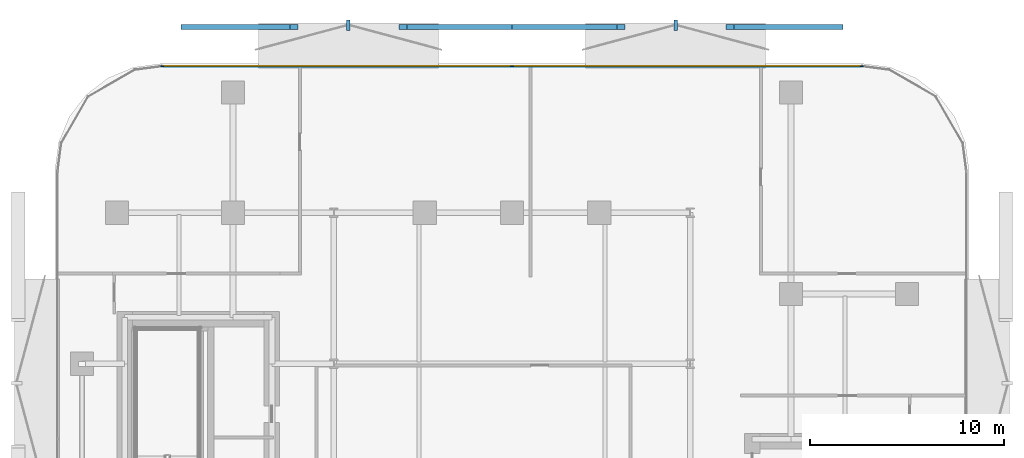
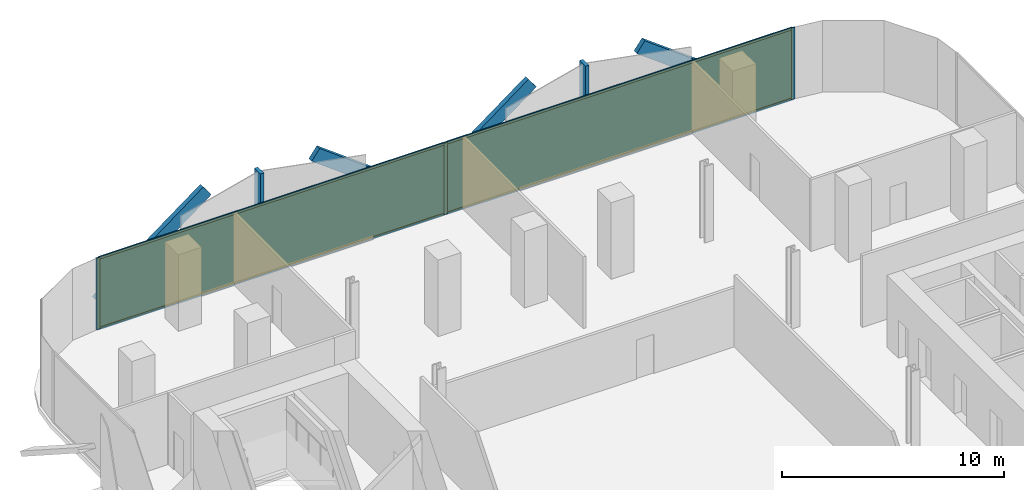
# One storey, part 10 of 15: 13 members, 2 plates, 1 curtain wall.
"""IFC4 building model written with IfcOpenShell, lengths in metres."""

from ifc_helpers import new_model, si_unit, direction, frame, frame_2d, origin, origin_2d, place, context, subcontext, project, spatial, rectangle, extrude, material, layer, layer_set, material_profile, profile_set, type_object, element, aggregate, save


model = new_model("IFC4")

# Units and contexts
model_context = context("Model", 3, precision=1e-05, world=origin(), true_north=direction((0.0, 1.0)))
body_context = subcontext(model_context, "Body", "Model", "MODEL_VIEW")
ifc_project = project(units=[si_unit("LENGTHUNIT", "METRE"), si_unit("AREAUNIT", "SQUARE_METRE"), si_unit("VOLUMEUNIT", "CUBIC_METRE"), si_unit("PLANEANGLEUNIT", "RADIAN"), si_unit("MASSUNIT", "GRAM", prefix="KILO")], contexts=[model_context])

# Member
ifc_material_1 = material(Name="Anodised Bronze Aluminium 6063-T6", Category="aluminium")
ifc_material_profile_1 = material_profile(ifc_material_1, rectangle(XDim=0.260009765625, YDim=0.699951171875, at=origin_2d()))
ifc_profile_set_1 = profile_set([ifc_material_profile_1], Name="Anodised Bronze Aluminium 6063-T6")
member_type_1 = type_object("IfcMemberType", Name="Bronze Diamond Solar-Screen Lattice Rib BDL-700", PredefinedType="MULLION", material=ifc_profile_set_1)
site_placement = place(None, origin())
building_placement = place(site_placement, origin())
storey_placement = place(building_placement, frame((0.0, 0.0, 143.60009765625)))
member_1_placement = place(storey_placement, frame((-16.890869140625, 28.199951171875, -0.130126953125), z_axis=(0.801557173533, 0.0, 0.597918136167), x_axis=(0.0, 1.0, 0.0)))
member_1 = element("IfcMember", 1, at=member_1_placement, type_object=member_type_1, Name="L33 Bronze Diamond Solar Screen Lattice Rib 213A", PredefinedType="MULLION", context=body_context, shape_type="SweptSolid", body=[
    extrude(rectangle(XDim=0.260009765625, YDim=0.699951171875, at=origin_2d()), origin(), (0.0, 0.0, 1.0), 7.024169921875),
])

member_2_placement = place(storey_placement, frame((0.0, 28.199951171875, -0.130126953125), z_axis=(-0.801557173533, 0.0, 0.597918136167), x_axis=(0.0, -1.0, 0.0)))
member_2 = element("IfcMember", 2, at=member_2_placement, type_object=member_type_1, Name="L33 Bronze Diamond Solar Screen Lattice Rib 213B", PredefinedType="MULLION", context=body_context, shape_type="SweptSolid", body=[
    extrude(rectangle(XDim=0.260009765625, YDim=0.699951171875, at=origin_2d()), origin(), (0.0, 0.0, 1.0), 7.024169921875),
])

member_3_placement = place(storey_placement, frame((0.0, 28.199951171875, -0.130126953125), z_axis=(0.801557173533, 0.0, 0.597918136167), x_axis=(0.0, 1.0, 0.0)))
member_3 = element("IfcMember", 3, at=member_3_placement, type_object=member_type_1, Name="L33 Bronze Diamond Solar Screen Lattice Rib 214A", PredefinedType="MULLION", context=body_context, shape_type="SweptSolid", body=[
    extrude(rectangle(XDim=0.260009765625, YDim=0.699951171875, at=origin_2d()), origin(), (0.0, 0.0, 1.0), 7.024169921875),
])

member_4_placement = place(storey_placement, frame((16.890869140625, 28.199951171875, -0.130126953125), z_axis=(-0.801557173533, 0.0, 0.597918136167), x_axis=(0.0, -1.0, 0.0)))
member_4 = element("IfcMember", 4, at=member_4_placement, type_object=member_type_1, Name="L33 Bronze Diamond Solar Screen Lattice Rib 214B", PredefinedType="MULLION", context=body_context, shape_type="SweptSolid", body=[
    extrude(rectangle(XDim=0.260009765625, YDim=0.699951171875, at=origin_2d()), origin(), (0.0, 0.0, 1.0), 7.024169921875),
])

ifc_material_2 = material(Name="Anodised Bronze Aluminium 6063-T6", Category="aluminium")
ifc_material_profile_2 = material_profile(ifc_material_2, rectangle(XDim=0.179931640625, YDim=0.5400390625, at=origin_2d()))
ifc_profile_set_2 = profile_set([ifc_material_profile_2], Name="Anodised Bronze Aluminium 6063-T6")
member_type_2 = type_object("IfcMemberType", Name="Bronze Solar-Screen Vertical Fold Fin BSF-540", PredefinedType="MULLION", material=ifc_profile_set_2)
member_5_placement = place(storey_placement, frame((-8.4453125, 28.280029296875, -0.130126953125), z_axis=(0.0, 0.0, 1.0), x_axis=(1.0, 0.0, 0.0)))
member_5 = element("IfcMember", 5, at=member_5_placement, type_object=member_type_2, Name="L33 Bronze Solar Screen Vertical Fin 213", PredefinedType="MULLION", context=body_context, shape_type="SweptSolid", body=[
    extrude(rectangle(XDim=0.179931640625, YDim=0.5400390625, at=origin_2d()), origin(), (0.0, 0.0, 1.0), 4.199951171875),
])

member_6_placement = place(storey_placement, frame((8.4453125, 28.280029296875, -0.130126953125), z_axis=(0.0, 0.0, 1.0), x_axis=(1.0, 0.0, 0.0)))
member_6 = element("IfcMember", 6, at=member_6_placement, type_object=member_type_2, Name="L33 Bronze Solar Screen Vertical Fin 214", PredefinedType="MULLION", context=body_context, shape_type="SweptSolid", body=[
    extrude(rectangle(XDim=0.179931640625, YDim=0.5400390625, at=origin_2d()), origin(), (0.0, 0.0, 1.0), 4.199951171875),
])

ifc_material_3 = material(Name="Anodised Bronze Aluminium 6063-T6", Category="aluminium")
ifc_material_profile_3 = material_profile(ifc_material_3, rectangle(XDim=0.06494140625, YDim=0.175048828125, at=origin_2d()))
ifc_profile_set_3 = profile_set([ifc_material_profile_3], Name="Anodised Bronze Aluminium 6063-T6")
member_type_3 = type_object("IfcMemberType", Name="CW-Z2 Mullion 65x175", PredefinedType="MULLION", material=ifc_profile_set_3)
member_7_placement = place(storey_placement, frame((-18.058349609375, 26.159912109375, 0.0), z_axis=(0.0, 0.0, 1.0), x_axis=(0.0, 1.0, 0.0)))
member_7 = element("IfcMember", 7, at=member_7_placement, type_object=member_type_3, Name="CW-Z2 mullion 1", PredefinedType="MULLION", context=body_context, shape_type="SweptSolid", body=[
    extrude(rectangle(XDim=0.06494140625, YDim=0.175048828125, at=origin_2d()), origin(), (0.0, 0.0, 1.0), 3.93994140625),
])

member_8_placement = place(storey_placement, frame((0.0, 26.159912109375, 0.0), z_axis=(0.0, 0.0, 1.0), x_axis=(0.0, 1.0, 0.0)))
member_8 = element("IfcMember", 8, at=member_8_placement, type_object=member_type_3, Name="CW-Z2 mullion 2", PredefinedType="MULLION", context=body_context, shape_type="SweptSolid", body=[
    extrude(rectangle(XDim=0.06494140625, YDim=0.175048828125, at=origin_2d()), origin(), (0.0, 0.0, 1.0), 3.93994140625),
])

member_9_placement = place(storey_placement, frame((18.058349609375, 26.159912109375, 0.0), z_axis=(0.0, 0.0, 1.0), x_axis=(0.0, 1.0, 0.0)))
member_9 = element("IfcMember", 9, at=member_9_placement, type_object=member_type_3, Name="CW-Z2 mullion 3", PredefinedType="MULLION", context=body_context, shape_type="SweptSolid", body=[
    extrude(rectangle(XDim=0.06494140625, YDim=0.175048828125, at=origin_2d()), origin(), (0.0, 0.0, 1.0), 3.93994140625),
])

ifc_material_4 = material(Name="Anodised Bronze Aluminium 6063-T6", Category="aluminium")
ifc_material_profile_4 = material_profile(ifc_material_4, rectangle(XDim=0.06494140625, YDim=0.135009765625, at=origin_2d()))
ifc_profile_set_4 = profile_set([ifc_material_profile_4], Name="Anodised Bronze Aluminium 6063-T6")
member_type_4 = type_object("IfcMemberType", Name="CW-Z2 Transom 65x135", PredefinedType="USERDEFINED", material=ifc_profile_set_4)
member_10_placement = place(storey_placement, frame((-18.02587890625, 26.159912109375, 0.032470703125), z_axis=(1.0, 0.0, 0.0), x_axis=(0.0, 1.0, 0.0)))
member_10 = element("IfcMember", 10, at=member_10_placement, type_object=member_type_4, Name="CW-Z2 transom 1.1", ObjectType="TRANSOM", PredefinedType="USERDEFINED", context=body_context, shape_type="SweptSolid", body=[
    extrude(rectangle(XDim=0.06494140625, YDim=0.135009765625, at=origin_2d()), origin(), (0.0, 0.0, 1.0), 17.993408203125),
])

member_11_placement = place(storey_placement, frame((-18.02587890625, 26.159912109375, 3.907470703125), z_axis=(1.0, 0.0, 0.0), x_axis=(0.0, 1.0, 0.0)))
member_11 = element("IfcMember", 11, at=member_11_placement, type_object=member_type_4, Name="CW-Z2 transom 1.2", ObjectType="TRANSOM", PredefinedType="USERDEFINED", context=body_context, shape_type="SweptSolid", body=[
    extrude(rectangle(XDim=0.06494140625, YDim=0.135009765625, at=origin_2d()), origin(), (0.0, 0.0, 1.0), 17.993408203125),
])

member_12_placement = place(storey_placement, frame((0.032470703125, 26.159912109375, 0.032470703125), z_axis=(1.0, 0.0, 0.0), x_axis=(0.0, 1.0, 0.0)))
member_12 = element("IfcMember", 12, at=member_12_placement, type_object=member_type_4, Name="CW-Z2 transom 2.1", ObjectType="TRANSOM", PredefinedType="USERDEFINED", context=body_context, shape_type="SweptSolid", body=[
    extrude(rectangle(XDim=0.06494140625, YDim=0.135009765625, at=origin_2d()), origin(), (0.0, 0.0, 1.0), 17.993408203125),
])

member_13_placement = place(storey_placement, frame((0.032470703125, 26.159912109375, 3.907470703125), z_axis=(1.0, 0.0, 0.0), x_axis=(0.0, 1.0, 0.0)))
member_13 = element("IfcMember", 13, at=member_13_placement, type_object=member_type_4, Name="CW-Z2 transom 2.2", ObjectType="TRANSOM", PredefinedType="USERDEFINED", context=body_context, shape_type="SweptSolid", body=[
    extrude(rectangle(XDim=0.06494140625, YDim=0.135009765625, at=origin_2d()), origin(), (0.0, 0.0, 1.0), 17.993408203125),
])

# Plate
ifc_material_5 = material(Name="Low-E Solar Control Laminated Glass", Category="glass")
ifc_layer_1 = layer(ifc_material_5, 0.028076171875, Name="Low-E Solar Control Laminated Glass")
ifc_layer_set_1 = layer_set([ifc_layer_1], Name="Low-E Solar Control Laminated Glass")
plate_type = type_object("IfcPlateType", Name="CW-Z2 Low-E Double Glazed Panel 28mm", PredefinedType="CURTAIN_PANEL", material=ifc_layer_set_1)
plate_1_placement = place(storey_placement, frame((-9.029052734375, 26.159912109375, 0.06494140625), z_axis=(0.0, 0.0, 1.0), x_axis=(1.0, 0.0, 0.0)))
plate_1 = element("IfcPlate", 14, at=plate_1_placement, type_object=plate_type, Name="CW-Z2 panel 1.1", PredefinedType="CURTAIN_PANEL", context=body_context, shape_type="SweptSolid", body=[
    extrude(rectangle(XDim=17.993408203125, YDim=0.028076171875, at=origin_2d()), origin(), (0.0, 0.0, 1.0), 3.81005859375),
])

plate_2_placement = place(storey_placement, frame((9.029052734375, 26.159912109375, 0.06494140625), z_axis=(0.0, 0.0, 1.0), x_axis=(1.0, 0.0, 0.0)))
plate_2 = element("IfcPlate", 15, at=plate_2_placement, type_object=plate_type, Name="CW-Z2 panel 2.1", PredefinedType="CURTAIN_PANEL", context=body_context, shape_type="SweptSolid", body=[
    extrude(rectangle(XDim=17.993408203125, YDim=0.028076171875, at=origin_2d()), origin(), (0.0, 0.0, 1.0), 3.81005859375),
])

# Site, building, storey
site = spatial("IfcSite", under=ifc_project, at=site_placement, CompositionType="ELEMENT")
building = spatial("IfcBuilding", under=site, at=building_placement, Name="Khairoan Windgate Tower", CompositionType="ELEMENT")
storey = spatial("IfcBuildingStorey", under=building, at=storey_placement, Name="L33", CompositionType="ELEMENT", Elevation=143.60009765625)

# Curtain wall
ifc_material_6 = material(Name="Anodised Bronze Aluminium 6063-T6", Category="aluminium")
ifc_layer_2 = layer(ifc_material_6, 0.175048828125, Name="Anodised Bronze Aluminium 6063-T6")
ifc_layer_set_2 = layer_set([ifc_layer_2], Name="Anodised Bronze Aluminium 6063-T6")
curtain_wall_type = type_object("IfcCurtainWallType", Name="Mid-Rise Office Unitised Curtain Wall CW-Z2", PredefinedType="NOTDEFINED", material=ifc_layer_set_2)
curtain_wall_placement = place(storey_placement, frame((-18.0908203125, 26.159912109375, 0.0), z_axis=(0.0, 0.0, 1.0), x_axis=(1.0, 0.0, 0.0)))
curtain_wall = element("IfcCurtainWall", 16, at=curtain_wall_placement, inside=storey, type_object=curtain_wall_type, Name="L33 Unitised Curtain Wall 11", PredefinedType="NOTDEFINED", context=body_context, shape_type="SweptSolid", body=[
    extrude(rectangle(XDim=36.181640625, YDim=0.010009765625, at=frame_2d((18.0908203125, 0.0))), origin(), (0.0, 0.0, 1.0), 3.93994140625),
])

aggregate(curtain_wall, [member_7, member_8, member_9, member_10, member_11, plate_1, member_12, member_13, plate_2, member_1, member_2, member_5, member_3, member_4, member_6])

save(model, "model.ifc")
